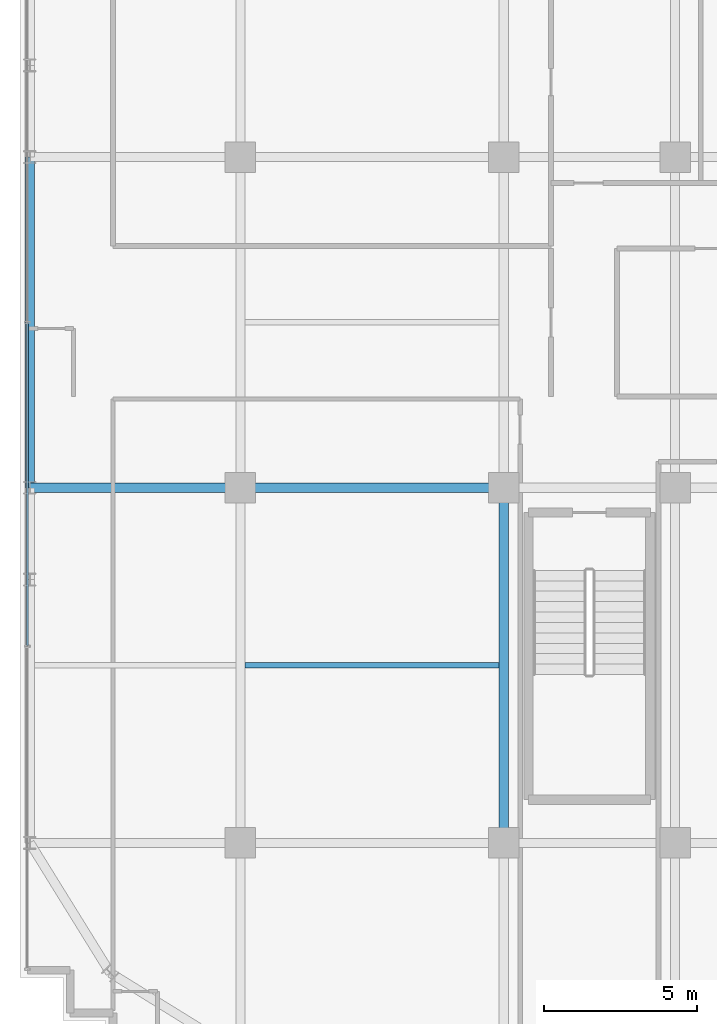
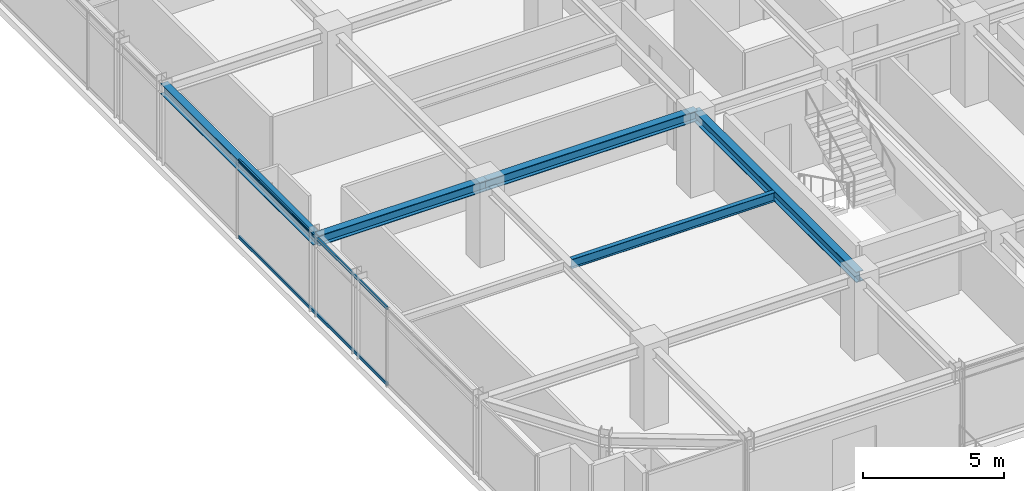
# One storey, part 9 of 36: 5 beams, 2 members, 1 element without a shape of its own.
"""IFC4 building model written with IfcOpenShell, lengths in metres."""

import ifcopenshell
import ifcopenshell.guid

model = None  # the IFC model being written
_history = None  # IfcOwnerHistory: only IFC2X3 demands one
_inside = {}  # id of a spatial element -> (the spatial element, [elements in it])
_under = {}  # id of a project, library or spatial element -> (it, [spatial elements below it])
_declared = {}  # id of a project -> (the project, [libraries it declares])
_typed = {}  # id of a type object -> (the type object, [elements of that type])
_made_of = {}  # id of a material, layer set ... -> (it, [elements and type objects made of it])


def new_model(schema):
    """Start an empty IFC model of exactly this schema.

    Asked for "IFC4X3", IfcOpenShell would pick the latest addendum, in which some entities
    have other attributes; the version numbers below select the first issue.
    IFC2X3 requires an IfcOwnerHistory on every rooted entity: one is made here for all.
    """
    global model, _history
    if schema == "IFC4X3":
        model = ifcopenshell.file(schema_version=(4, 3, 0, 0))
    else:
        model = ifcopenshell.file(schema=schema)
    _inside.clear()
    _under.clear()
    _declared.clear()
    _typed.clear()
    _made_of.clear()
    _history = None
    if model.schema == "IFC2X3":
        org = make("IfcOrganization", Name="unknown")
        user = make(
            "IfcPersonAndOrganization",
            ThePerson=make("IfcPerson", FamilyName="unknown"),
            TheOrganization=org,
        )
        app = make(
            "IfcApplication",
            ApplicationDeveloper=org,
            Version="unknown",
            ApplicationFullName="unknown",
            ApplicationIdentifier="unknown",
        )
        _history = make(
            "IfcOwnerHistory",
            OwningUser=user,
            OwningApplication=app,
            ChangeAction="ADDED",
            CreationDate=0,
        )
    return model


def make(cls, **values):
    """One entity of the class cls with the attributes given. An attribute that is None is left unset."""
    return model.create_entity(
        cls, **{name: value for name, value in values.items() if value is not None}
    )


def rooted(cls, **values):
    """An entity with a GlobalId (a new one), such as an element, a storey or a relation."""
    return make(cls, GlobalId=ifcopenshell.guid.new(), OwnerHistory=_history, **values)


def si_unit(unit_type, name, prefix=None):
    """IfcSIUnit, for example si_unit("LENGTHUNIT", "METRE", prefix="MILLI")."""
    return make("IfcSIUnit", UnitType=unit_type, Prefix=prefix, Name=name)


def assignment(units):
    """IfcUnitAssignment: the units of a project."""
    return None if units is None else make("IfcUnitAssignment", Units=units)


def point(xyz):
    """IfcCartesianPoint."""
    return None if xyz is None else make("IfcCartesianPoint", Coordinates=xyz)


def direction(xyz):
    """IfcDirection."""
    return None if xyz is None else make("IfcDirection", DirectionRatios=xyz)


def frame(location, z_axis=None, x_axis=None):
    """IfcAxis2Placement3D, a coordinate frame: its origin and axes. An axis left out is left unset."""
    return make(
        "IfcAxis2Placement3D",
        Location=point(location),
        Axis=direction(z_axis),
        RefDirection=direction(x_axis),
    )


def frame_2d(location, x_axis=None):
    """IfcAxis2Placement2D, a coordinate frame in the plane: its origin and x axis."""
    return make(
        "IfcAxis2Placement2D", Location=point(location), RefDirection=direction(x_axis)
    )


def origin():
    """The frame at (0, 0, 0) with its axes left unset."""
    return frame((0.0, 0.0, 0.0))


def origin_2d():
    """The frame at (0, 0) in the plane with its x axis left unset."""
    return frame_2d((0.0, 0.0))


def place(relative_to, where):
    """IfcLocalPlacement: puts the frame where relative to a parent placement (None: the world)."""
    return make(
        "IfcLocalPlacement", PlacementRelTo=relative_to, RelativePlacement=where
    )


def context(
    kind, dimensions, precision=None, world=None, true_north=None, identifier=None
):
    """IfcGeometricRepresentationContext, for example the 3D "Model" context."""
    return make(
        "IfcGeometricRepresentationContext",
        ContextIdentifier=identifier,
        ContextType=kind,
        CoordinateSpaceDimension=dimensions,
        Precision=precision,
        WorldCoordinateSystem=world,
        TrueNorth=true_north,
    )


def subcontext(parent, identifier, kind, view, scale=None):
    """IfcGeometricRepresentationSubContext, for example "Body" below "Model"."""
    return make(
        "IfcGeometricRepresentationSubContext",
        ContextIdentifier=identifier,
        ContextType=kind,
        ParentContext=parent,
        TargetScale=scale,
        TargetView=view,
    )


def project(units=None, contexts=None):
    """IfcProject with its units and contexts."""
    return rooted(
        "IfcProject",
        Name="project",
        RepresentationContexts=contexts,
        UnitsInContext=assignment(units),
    )


def spatial(cls, under=None, at=None, **own):
    """A site, building, storey or space (cls), placed at a placement, below another one or the project."""
    s = rooted(cls, ObjectPlacement=at, **own)
    if under is not None:
        _under.setdefault(under.id(), (under, []))[1].append(s)
    return s


def profile(cls, at=None, kind="AREA", **sizes):
    """A parametric profile (cls). Its sizes go by their IFC names, for example OverallWidth=200.0."""
    return make(cls, ProfileType=kind, Position=at, **sizes)


def hollow_rectangle(**sizes):
    """IfcRectangleHollowProfileDef."""
    return profile("IfcRectangleHollowProfileDef", **sizes)


def i_section(**sizes):
    """IfcIShapeProfileDef."""
    return profile("IfcIShapeProfileDef", **sizes)


def extrude(swept, where, along, depth):
    """IfcExtrudedAreaSolid: the profile swept, set in the frame where, extruded along a direction by depth."""
    return make(
        "IfcExtrudedAreaSolid",
        SweptArea=swept,
        Position=where,
        ExtrudedDirection=direction(along),
        Depth=depth,
    )


def shape(context_of_items, identifier, shape_type, items):
    """IfcShapeRepresentation: the items that make up one representation, for example the "Body"."""
    return make(
        "IfcShapeRepresentation",
        ContextOfItems=context_of_items,
        RepresentationIdentifier=identifier,
        RepresentationType=shape_type,
        Items=items,
    )


def source(mapping_origin, context_of_items, identifier, shape_type, items):
    """IfcRepresentationMap: a shape defined once, which mapped items show again and again."""
    return make(
        "IfcRepresentationMap",
        MappingOrigin=mapping_origin,
        MappedRepresentation=shape(context_of_items, identifier, shape_type, items),
    )


def transform(
    local_origin,
    x_axis=None,
    y_axis=None,
    z_axis=None,
    scale=None,
    scale2=None,
    scale3=None,
    uniform=True,
):
    """IfcCartesianTransformationOperator3D, or its non-uniform kind. x_axis, y_axis, z_axis: its Axis1, 2, 3."""
    if uniform:
        return make(
            "IfcCartesianTransformationOperator3D",
            Axis1=direction(x_axis),
            Axis2=direction(y_axis),
            LocalOrigin=point(local_origin),
            Scale=scale,
            Axis3=direction(z_axis),
        )
    return make(
        "IfcCartesianTransformationOperator3DnonUniform",
        Axis1=direction(x_axis),
        Axis2=direction(y_axis),
        LocalOrigin=point(local_origin),
        Scale=scale,
        Axis3=direction(z_axis),
        Scale2=scale2,
        Scale3=scale3,
    )


def mapped(mapping_source, mapping_target):
    """IfcMappedItem: shows the shape of a source again, moved by a transform."""
    return make(
        "IfcMappedItem", MappingSource=mapping_source, MappingTarget=mapping_target
    )


def material(Name=None, Category=None):
    """IfcMaterial."""
    return make("IfcMaterial", Name=Name, Category=Category)


def material_profile(
    of_material, cross_section, Name=None, Category=None, Priority=None
):
    """IfcMaterialProfile: a cross section and its material."""
    return make(
        "IfcMaterialProfile",
        Name=Name,
        Material=of_material,
        Profile=cross_section,
        Priority=Priority,
        Category=Category,
    )


def profile_set(profiles, Name=None, composite=None):
    """IfcMaterialProfileSet."""
    return make(
        "IfcMaterialProfileSet",
        Name=Name,
        MaterialProfiles=profiles,
        CompositeProfile=composite,
    )


def made_of(thing, what):
    """Note that an element or type object is made of a material, layer set ...; save() writes the relation."""
    if what is not None:
        _made_of.setdefault(what.id(), (what, []))[1].append(thing)
    return thing


def type_object(cls, material=None, **own):
    """A type object (cls), such as IfcWallType, which elements share."""
    return made_of(rooted(cls, **own), material)


def element(
    cls,
    number,
    at=None,
    inside=None,
    cuts=None,
    type_object=None,
    material=None,
    context=None,
    identifier="Body",
    shape_type=None,
    held_by="IfcProductDefinitionShape",
    body=None,
    shapes=None,
    **own,
):
    """One element of the class cls, such as IfcWall. Its Tag is "e" and its number.

    at: its placement. inside: the storey or other place that contains it. cuts: it is an
    opening in that element (IfcRelVoidsElement). A single representation is given by context,
    identifier, shape_type and body (its items); several are given by shapes. held_by: the class
    of the entity that holds the representations. save() writes the other relations.
    """
    e = rooted(cls, Tag="e%d" % number, ObjectPlacement=at, **own)
    if body is not None:
        shapes = [shape(context, identifier, shape_type, body)]
    if shapes is not None:
        e.Representation = make(held_by, Representations=shapes)
    if inside is not None:
        _inside.setdefault(inside.id(), (inside, []))[1].append(e)
    if cuts is not None:
        rooted(
            "IfcRelVoidsElement", RelatingBuildingElement=cuts, RelatedOpeningElement=e
        )
    if type_object is not None:
        _typed.setdefault(type_object.id(), (type_object, []))[1].append(e)
    return made_of(e, material)


def aggregate(whole, parts):
    """IfcRelAggregates: a whole, such as a stair, and the parts it consists of."""
    return rooted("IfcRelAggregates", RelatingObject=whole, RelatedObjects=parts)


def save(model, path):
    """Write the relations noted so far, then the file.

    IfcRelAggregates (storeys below a building ...), IfcRelContainedInSpatialStructure (elements
    in a storey), IfcRelDefinesByType, IfcRelAssociatesMaterial and IfcRelDeclares: one each for
    every whole, place, type object, material and project.
    """
    for whole, parts in _under.values():
        aggregate(whole, parts)
    for where, things in _inside.values():
        rooted(
            "IfcRelContainedInSpatialStructure",
            RelatedElements=things,
            RelatingStructure=where,
        )
    for kind, things in _typed.values():
        rooted("IfcRelDefinesByType", RelatedObjects=things, RelatingType=kind)
    for what, things in _made_of.values():
        rooted("IfcRelAssociatesMaterial", RelatedObjects=things, RelatingMaterial=what)
    for by, libraries in _declared.values():
        rooted("IfcRelDeclares", RelatingContext=by, RelatedDefinitions=libraries)
    model.write(path)


model = new_model("IFC4")

# Units and contexts
model_context = context("Model", 3, precision=1e-05, world=origin(), true_north=direction((0.0, 1.0)))
body_context = subcontext(model_context, "Body", "Model", "MODEL_VIEW")
ifc_project = project(units=[si_unit("LENGTHUNIT", "METRE"), si_unit("AREAUNIT", "SQUARE_METRE"), si_unit("VOLUMEUNIT", "CUBIC_METRE"), si_unit("PLANEANGLEUNIT", "RADIAN"), si_unit("MASSUNIT", "GRAM", prefix="KILO")], contexts=[model_context])

# Site, building, storey
site_placement = place(None, origin())
site = spatial("IfcSite", under=ifc_project, at=site_placement, CompositionType="ELEMENT")
building_placement = place(site_placement, origin())
building = spatial("IfcBuilding", under=site, at=building_placement, Name="Nahalor Promenade Grand Hotel", CompositionType="ELEMENT")
storey_placement = place(building_placement, frame((0.0, 0.0, 223.39990234375)))
storey = spatial("IfcBuildingStorey", under=building, at=storey_placement, Name="L57", CompositionType="ELEMENT", Elevation=223.39990234375)

# Beams
ifc_material_1 = material(Name="Steel S355JR", Category="steel")
ifc_material_profile_1 = material_profile(ifc_material_1, i_section(OverallWidth=0.3, OverallDepth=0.45, WebThickness=0.014, FlangeThickness=0.026, at=origin_2d()), Name="HEB 450")
ifc_profile_set_1 = profile_set([ifc_material_profile_1], Name="Steel S355JR")
beam_type_1 = type_object("IfcBeamType", Name="Beam-Spandrel-HEB450", PredefinedType="SPANDREL", material=ifc_profile_set_1)
shared_shape_1 = source(origin(), body_context, "Body", "SweptSolid", [
    extrude(i_section(OverallWidth=0.3, OverallDepth=0.45, WebThickness=0.014, FlangeThickness=0.026, at=origin_2d()), origin(), (0.0, 0.0, 1.0), 10.7998046875),
])
beam_1_placement = place(storey_placement, frame((-23.8798828125, -5.39990234375, 3.18505859375), z_axis=(0.0, 1.0, 0.0), x_axis=(-1.0, 0.0, 0.0)))
element("IfcBeam", 1, at=beam_1_placement, inside=storey, type_object=beam_type_1, Name="BM-L57-SP-W-2", PredefinedType="SPANDREL", context=body_context, shape_type="MappedRepresentation", body=[
    mapped(shared_shape_1, transform((0.0, 0.0, 0.0), scale=1.0)),
])
ifc_material_profile_2 = material_profile(ifc_material_1, i_section(OverallWidth=0.3, OverallDepth=0.45, WebThickness=0.014, FlangeThickness=0.026, at=origin_2d()), Name="HEB 450")
ifc_profile_set_2 = profile_set([ifc_material_profile_2], Name="Steel S355JR")
beam_type_2 = type_object("IfcBeamType", Name="Beam-Girder-HEB450", PredefinedType="BEAM", material=ifc_profile_set_2)
shared_shape_2 = source(origin(), body_context, "Body", "SweptSolid", [
    extrude(i_section(OverallWidth=0.3, OverallDepth=0.45, WebThickness=0.014, FlangeThickness=0.026, at=origin_2d()), origin(), (0.0, 0.0, 1.0), 6.8798828125),
])
beam_2_placement = place(storey_placement, frame((-23.8798828125, -5.39990234375, 3.18505859375), z_axis=(1.0, 0.0, 0.0), x_axis=(0.0, 1.0, 0.0)))
element("IfcBeam", 2, at=beam_2_placement, inside=storey, type_object=beam_type_2, Name="BM-L57-GX-1-0", PredefinedType="BEAM", context=body_context, shape_type="MappedRepresentation", body=[
    mapped(shared_shape_2, transform((0.0, 0.0, 0.0), scale=1.0)),
])
shared_shape_3 = source(origin(), body_context, "Body", "SweptSolid", [
    extrude(i_section(OverallWidth=0.3, OverallDepth=0.45, WebThickness=0.014, FlangeThickness=0.026, at=origin_2d()), origin(), (0.0, 0.0, 1.0), 8.60009765625),
])
beam_3_placement = place(storey_placement, frame((-17.0, -5.39990234375, 3.18505859375), z_axis=(1.0, 0.0, 0.0), x_axis=(0.0, 1.0, 0.0)))
element("IfcBeam", 3, at=beam_3_placement, inside=storey, type_object=beam_type_2, Name="BM-L57-GX-1-1", PredefinedType="BEAM", context=body_context, shape_type="MappedRepresentation", body=[
    mapped(shared_shape_3, transform((0.0, 0.0, 0.0), scale=1.0)),
])
shared_shape_4 = source(origin(), body_context, "Body", "SweptSolid", [
    extrude(i_section(OverallWidth=0.3, OverallDepth=0.45, WebThickness=0.014, FlangeThickness=0.026, at=origin_2d()), origin(), (0.0, 0.0, 1.0), 11.60009765625),
])
beam_4_placement = place(storey_placement, frame((-8.39990234375, -17.0, 3.18505859375), z_axis=(0.0, 1.0, 0.0), x_axis=(-1.0, 0.0, 0.0)))
element("IfcBeam", 4, at=beam_4_placement, inside=storey, type_object=beam_type_2, Name="BM-L57-GY-1-1", PredefinedType="BEAM", context=body_context, shape_type="MappedRepresentation", body=[
    mapped(shared_shape_4, transform((0.0, 0.0, 0.0), scale=1.0)),
])
ifc_material_profile_3 = material_profile(ifc_material_1, i_section(OverallWidth=0.18, OverallDepth=0.4, WebThickness=0.0086, FlangeThickness=0.0135, at=origin_2d()), Name="IPE 400")
ifc_profile_set_3 = profile_set([ifc_material_profile_3], Name="Steel S355JR")
beam_type_3 = type_object("IfcBeamType", Name="Beam-Joist-IPE400", PredefinedType="JOIST", material=ifc_profile_set_3)
shared_shape_5 = source(origin(), body_context, "Body", "SweptSolid", [
    extrude(i_section(OverallWidth=0.18, OverallDepth=0.4, WebThickness=0.0086, FlangeThickness=0.0135, at=origin_2d()), origin(), (0.0, 0.0, 1.0), 8.300048828125),
])
beam_5_placement = place(storey_placement, frame((-16.85009765625, -11.199951171875, 3.210205078125), z_axis=(1.0, 0.0, 0.0), x_axis=(0.0, 1.0, 0.0)))
element("IfcBeam", 5, at=beam_5_placement, inside=storey, type_object=beam_type_3, Name="BM-L57-JSW-0-1", PredefinedType="JOIST", context=body_context, shape_type="MappedRepresentation", body=[
    mapped(shared_shape_5, transform((0.0, 0.0, 0.0), scale=1.0)),
])

# Curtain wall, members
ifc_material_2 = material(Name="Anodised Bronze Aluminium EN AW-6063 T6", Category="aluminium")
curtain_wall_type = type_object("IfcCurtainWallType", Name="CW2 Typical Hotel Flush Bronze Unitised Curtain Wall", PredefinedType="USERDEFINED", material=ifc_material_2)
curtain_wall_placement = place(storey_placement, origin())
curtain_wall = element("IfcCurtainWall", 6, at=curtain_wall_placement, inside=storey, type_object=curtain_wall_type, Name="L57 Curtain Wall CW-L57-W-1", ObjectType="UNITISED_CURTAIN_WALL", PredefinedType="USERDEFINED")
ifc_material_profile_4 = material_profile(ifc_material_2, hollow_rectangle(XDim=0.065, YDim=0.13, WallThickness=0.004, at=origin_2d()), Name="CWT 65x130x4")
ifc_profile_set_4 = profile_set([ifc_material_profile_4], Name="Anodised Bronze Aluminium EN AW-6063 T6")
member_type = type_object("IfcMemberType", Name="CWT2 Typical Bronze Transom 65x130", PredefinedType="USERDEFINED", material=ifc_profile_set_4)
shared_shape_6 = source(origin(), body_context, "Body", "SweptSolid", [
    extrude(hollow_rectangle(XDim=0.065, YDim=0.13, WallThickness=0.004, at=origin_2d()), origin(), (0.0, 0.0, 1.0), 10.51513671875),
])
member_1_placement = place(storey_placement, frame((-23.9599609375, -10.547607421875, 0.065185546875), z_axis=(0.0, 1.0, 0.0), x_axis=(-1.0, 0.0, 0.0)))
member_1 = element("IfcMember", 7, at=member_1_placement, type_object=member_type, Name="CW-L57-W-1 Transom 1-0", ObjectType="TRANSOM", PredefinedType="USERDEFINED", context=body_context, shape_type="MappedRepresentation", body=[
    mapped(shared_shape_6, transform((0.0, 0.0, 0.0), scale=1.0)),
])
member_2_placement = place(storey_placement, frame((-23.9599609375, -10.547607421875, 3.34521484375), z_axis=(0.0, 1.0, 0.0), x_axis=(-1.0, 0.0, 0.0)))
member_2 = element("IfcMember", 8, at=member_2_placement, type_object=member_type, Name="CW-L57-W-1 Transom 1-1", ObjectType="TRANSOM", PredefinedType="USERDEFINED", context=body_context, shape_type="MappedRepresentation", body=[
    mapped(shared_shape_6, transform((0.0, 0.0, 0.0), scale=1.0)),
])
aggregate(curtain_wall, [member_1, member_2])

save(model, "model.ifc")
